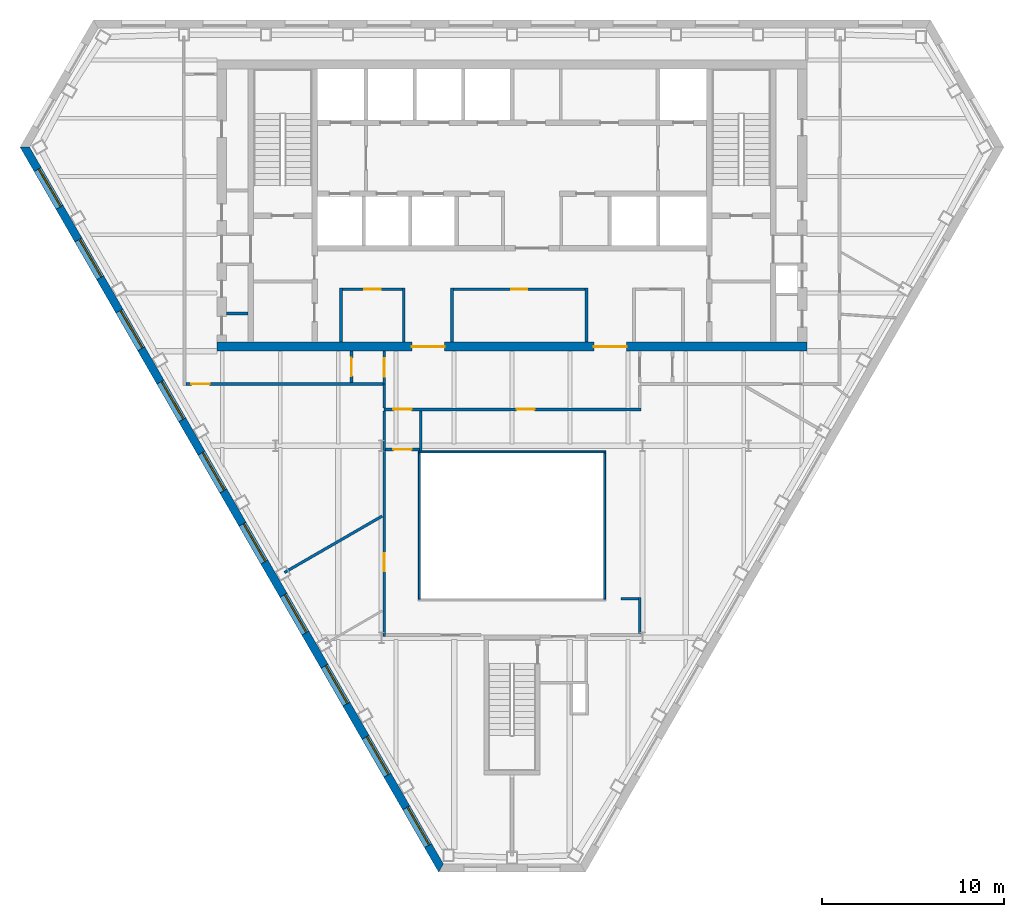
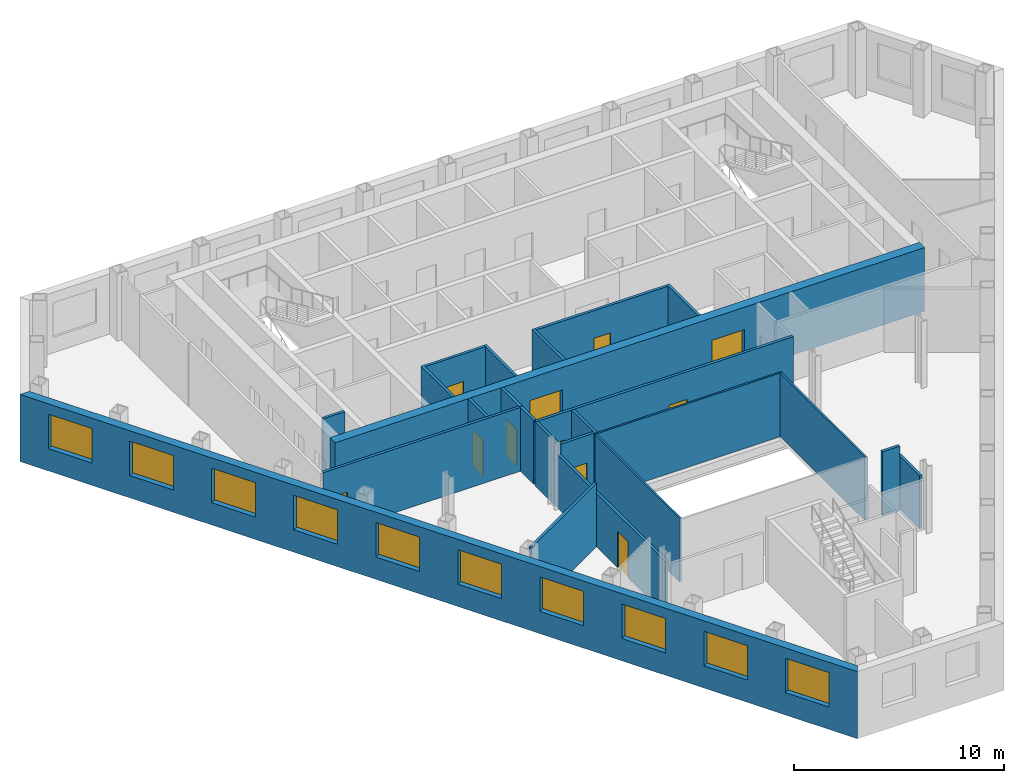
# One storey, part 4 of 11: 24 walls, 11 doors, 10 windows, 21 openings.
"""IFC4 building model written with IfcOpenShell, lengths in metres."""

from ifc_helpers import new_model, si_unit, direction, frame, frame_2d, origin, place, context, subcontext, project, spatial, polyline, rectangle, outline, extrude, material, layer, layer_set, type_object, element, fill, save


model = new_model("IFC4")

# Units and contexts
model_context = context("Model", 3, precision=1e-05, world=origin(), true_north=direction((0.0, 1.0)))
body_context = subcontext(model_context, "Body", "Model", "MODEL_VIEW")
ifc_project = project(units=[si_unit("LENGTHUNIT", "METRE"), si_unit("AREAUNIT", "SQUARE_METRE"), si_unit("VOLUMEUNIT", "CUBIC_METRE"), si_unit("PLANEANGLEUNIT", "RADIAN"), si_unit("MASSUNIT", "GRAM", prefix="KILO")], contexts=[model_context])

# Site, building, storey
site_placement = place(None, origin())
site = spatial("IfcSite", under=ifc_project, at=site_placement, CompositionType="ELEMENT")
building_placement = place(site_placement, origin())
building = spatial("IfcBuilding", under=site, at=building_placement, Name="Njiva Tower", CompositionType="ELEMENT")
storey_placement = place(building_placement, frame((0.0, 0.0, 178.8)))
storey = spatial("IfcBuildingStorey", under=building, at=storey_placement, Name="L39", CompositionType="ELEMENT", Elevation=178.8)

# Walls
ifc_material_1 = material(Name="Blockwork", Category="masonry")
ifc_layer_1 = layer(ifc_material_1, 0.15)
ifc_layer_set_1 = layer_set([ifc_layer_1], Name="Blockwork")
wall_type_1 = type_object("IfcWallType", Name="WT1 Compartment partition 150", PredefinedType="PARTITIONING", material=ifc_layer_set_1)
wall_1_placement = place(storey_placement, frame((-15.7, 4.075, 0.0), z_axis=(0.0, 0.0, 1.0), x_axis=(1.0, 0.0, 0.0)))
element("IfcWall", 1, at=wall_1_placement, inside=storey, type_object=wall_type_1, Name="Partition strip W00", PredefinedType="PARTITIONING", context=body_context, shape_type="SweptSolid", body=[
    extrude(rectangle(XDim=1.2, YDim=0.15, at=frame_2d((0.6, 0.0))), origin(), (0.0, 0.0, 1.0), 3.7),
])
for number, where, z_axis, x_axis, name in (
    (2, (-9.4, 2.5, 0.0), (0.0, 0.0, 1.0), (0.0, 1.0, 0.0), "Concierge office wall west"),
    (3, (-5.95, 2.5, 0.0), (0.0, 0.0, 1.0), (0.0, 1.0, 0.0), "Concierge office wall east"),
):
    element("IfcWall", number, at=place(storey_placement, frame(where, z_axis=z_axis, x_axis=x_axis)), inside=storey, type_object=wall_type_1, Name=name, PredefinedType="PARTITIONING", context=body_context, shape_type="SweptSolid", body=[
        extrude(rectangle(XDim=2.975, YDim=0.15, at=frame_2d((1.4875, 0.0))), origin(), (0.0, 0.0, 1.0), 3.7),
    ])

# Wall, opening, door
wall_2_placement = place(storey_placement, frame((-9.325, 5.4, 0.0), z_axis=(0.0, 0.0, 1.0), x_axis=(1.0, 0.0, 0.0)))
wall_2 = element("IfcWall", 4, at=wall_2_placement, inside=storey, type_object=wall_type_1, Name="Concierge office wall north", PredefinedType="PARTITIONING", context=body_context, shape_type="SweptSolid", body=[
    extrude(rectangle(XDim=3.3, YDim=0.15, at=frame_2d((1.65, 0.0))), origin(), (0.0, 0.0, 1.0), 3.7),
])
opening_1_placement = place(wall_2_placement, frame((1.2, 0.0, 0.0)))
opening_1 = element("IfcOpeningElement", 5, at=opening_1_placement, cuts=wall_2, Name="Opening S13-D933", PredefinedType="OPENING", context=body_context, shape_type="SweptSolid", body=[
    extrude(rectangle(XDim=0.9, YDim=2.1, at=frame_2d((0.45, 1.05))), frame((0.0, 0.085, 0.0), z_axis=(0.0, -1.0, 0.0), x_axis=(1.0, 0.0, 0.0)), (0.0, 0.0, 1.0), 0.17),
])
ifc_material_2 = material(Name="Steel fire door, painted", Category="steel")
door_type_1 = type_object("IfcDoorType", Name="D6 Fire-rated door 900x2100", OperationType="SINGLE_SWING_LEFT", PredefinedType="DOOR", material=ifc_material_2)
door_1_placement = place(opening_1_placement, origin())
door_1 = element("IfcDoor", 6, at=door_1_placement, inside=storey, type_object=door_type_1, Name="Concierge office door", OperationType="SINGLE_SWING_RIGHT", OverallHeight=2.1, OverallWidth=0.9, PredefinedType="DOOR", context=body_context, shape_type="SweptSolid", body=[
    extrude(rectangle(XDim=0.9, YDim=2.1, at=frame_2d((0.45, 1.05))), frame((0.0, 0.025, 0.0), z_axis=(0.0, -1.0, 0.0), x_axis=(1.0, 0.0, 0.0)), (0.0, 0.0, 1.0), 0.05),
])
fill(opening_1, door_1)

# Walls
for number, where, z_axis, x_axis, name in (
    (7, (-3.3, 2.5, 0.0), (0.0, 0.0, 1.0), (0.0, 1.0, 0.0), "Post room wall west"),
    (8, (4.1, 2.5, 0.0), (0.0, 0.0, 1.0), (0.0, 1.0, 0.0), "Post room wall east"),
):
    element("IfcWall", number, at=place(storey_placement, frame(where, z_axis=z_axis, x_axis=x_axis)), inside=storey, type_object=wall_type_1, Name=name, PredefinedType="PARTITIONING", context=body_context, shape_type="SweptSolid", body=[
        extrude(rectangle(XDim=2.975, YDim=0.15, at=frame_2d((1.4875, 0.0))), origin(), (0.0, 0.0, 1.0), 3.7),
    ])

# Wall, opening, door
wall_3_placement = place(storey_placement, frame((-3.225, 5.4, 0.0), z_axis=(0.0, 0.0, 1.0), x_axis=(1.0, 0.0, 0.0)))
wall_3 = element("IfcWall", 9, at=wall_3_placement, inside=storey, type_object=wall_type_1, Name="Post room wall north", PredefinedType="PARTITIONING", context=body_context, shape_type="SweptSolid", body=[
    extrude(rectangle(XDim=7.25, YDim=0.15, at=frame_2d((3.625, 0.0))), origin(), (0.0, 0.0, 1.0), 3.7),
])
opening_2_placement = place(wall_3_placement, frame((3.175, 0.0, 0.0)))
opening_2 = element("IfcOpeningElement", 10, at=opening_2_placement, cuts=wall_3, Name="Opening S13-D934", PredefinedType="OPENING", context=body_context, shape_type="SweptSolid", body=[
    extrude(rectangle(XDim=0.9, YDim=2.1, at=frame_2d((0.45, 1.05))), frame((0.0, 0.085, 0.0), z_axis=(0.0, -1.0, 0.0), x_axis=(1.0, 0.0, 0.0)), (0.0, 0.0, 1.0), 0.17),
])
door_2_placement = place(opening_2_placement, origin())
door_2 = element("IfcDoor", 11, at=door_2_placement, inside=storey, type_object=door_type_1, Name="Post room door", OperationType="SINGLE_SWING_LEFT", OverallHeight=2.1, OverallWidth=0.9, PredefinedType="DOOR", context=body_context, shape_type="SweptSolid", body=[
    extrude(rectangle(XDim=0.9, YDim=2.1, at=frame_2d((0.45, 1.05))), frame((0.0, 0.025, 0.0), z_axis=(0.0, -1.0, 0.0), x_axis=(1.0, 0.0, 0.0)), (0.0, 0.0, 1.0), 0.05),
])
fill(opening_2, door_2)

# Wall, openings, doors
ifc_material_3 = material(Name="Concrete C60/75", Category="concrete")
ifc_layer_2 = layer(ifc_material_3, 0.5)
ifc_layer_set_2 = layer_set([ifc_layer_2], Name="Concrete C60/75")
wall_type_2 = type_object("IfcWallType", Name="WT13 Core wall 500", PredefinedType="SHEAR", material=ifc_layer_set_2)
wall_4_placement = place(storey_placement, frame((-16.2, 2.25, 0.0), z_axis=(0.0, 0.0, 1.0), x_axis=(1.0, 0.0, 0.0)))
wall_4 = element("IfcWall", 12, at=wall_4_placement, inside=storey, type_object=wall_type_2, Name="Core wall south", PredefinedType="SHEAR", context=body_context, shape_type="SweptSolid", body=[
    extrude(rectangle(XDim=32.4, YDim=0.5, at=frame_2d((16.2, 0.0))), origin(), (0.0, 0.0, 1.0), 3.7),
])
opening_3_placement = place(wall_4_placement, frame((10.7, 0.0, 0.0)))
opening_3 = element("IfcOpeningElement", 13, at=opening_3_placement, cuts=wall_4, Name="Opening S13-D937", PredefinedType="OPENING", context=body_context, shape_type="SweptSolid", body=[
    extrude(rectangle(XDim=1.8, YDim=2.4, at=frame_2d((0.9, 1.2))), frame((0.0, 0.26, 0.0), z_axis=(0.0, -1.0, 0.0), x_axis=(1.0, 0.0, 0.0)), (0.0, 0.0, 1.0), 0.52),
])
opening_4_placement = place(wall_4_placement, frame((20.7, 0.0, 0.0)))
opening_4 = element("IfcOpeningElement", 14, at=opening_4_placement, cuts=wall_4, Name="Opening S13-D938", PredefinedType="OPENING", context=body_context, shape_type="SweptSolid", body=[
    extrude(rectangle(XDim=1.8, YDim=2.4, at=frame_2d((0.9, 1.2))), frame((0.0, 0.26, 0.0), z_axis=(0.0, -1.0, 0.0), x_axis=(1.0, 0.0, 0.0)), (0.0, 0.0, 1.0), 0.52),
])
ifc_material_4 = material(Name="Steel and glass door", Category="steel")
door_type_2 = type_object("IfcDoorType", Name="D3 Core entrance door 1800x2400", OperationType="DOUBLE_DOOR_SINGLE_SWING", PredefinedType="DOOR", material=ifc_material_4)
door_3_placement = place(opening_3_placement, origin())
door_3 = element("IfcDoor", 15, at=door_3_placement, inside=storey, type_object=door_type_2, Name="Core entrance door", OperationType="DOUBLE_DOOR_SINGLE_SWING", OverallHeight=2.4, OverallWidth=1.8, PredefinedType="DOOR", context=body_context, shape_type="SweptSolid", body=[
    extrude(rectangle(XDim=1.8, YDim=2.4, at=frame_2d((0.9, 1.2))), frame((0.0, 0.025, 0.0), z_axis=(0.0, -1.0, 0.0), x_axis=(1.0, 0.0, 0.0)), (0.0, 0.0, 1.0), 0.05),
])
fill(opening_3, door_3)
door_4_placement = place(opening_4_placement, origin())
door_4 = element("IfcDoor", 16, at=door_4_placement, inside=storey, type_object=door_type_2, Name="Core entrance door", OperationType="DOUBLE_DOOR_SINGLE_SWING", OverallHeight=2.4, OverallWidth=1.8, PredefinedType="DOOR", context=body_context, shape_type="SweptSolid", body=[
    extrude(rectangle(XDim=1.8, YDim=2.4, at=frame_2d((0.9, 1.2))), frame((0.0, 0.025, 0.0), z_axis=(0.0, -1.0, 0.0), x_axis=(1.0, 0.0, 0.0)), (0.0, 0.0, 1.0), 0.05),
])
fill(opening_4, door_4)

# Wall, opening, door
ifc_material_5 = material(Name="Gypsum board on steel studs", Category="gypsum")
ifc_layer_3 = layer(ifc_material_5, 0.15)
ifc_layer_set_3 = layer_set([ifc_layer_3], Name="Gypsum board on steel studs")
wall_type_3 = type_object("IfcWallType", Name="WT21 Compartment wall 150", PredefinedType="PARTITIONING", material=ifc_layer_set_3)
wall_5_placement = place(storey_placement, frame((-17.925, 0.2, 0.0), z_axis=(0.0, 0.0, 1.0), x_axis=(1.0, 0.0, 0.0)))
wall_5 = element("IfcWall", 17, at=wall_5_placement, inside=storey, type_object=wall_type_3, Name="Partition S13-P005", PredefinedType="PARTITIONING", context=body_context, shape_type="SweptSolid", body=[
    extrude(rectangle(XDim=10.83, YDim=0.15, at=frame_2d((5.415, 0.0))), origin(), (0.0, 0.0, 1.0), 3.7),
])
opening_5_placement = place(wall_5_placement, frame((0.312, 0.0, 0.0)))
opening_5 = element("IfcOpeningElement", 18, at=opening_5_placement, cuts=wall_5, Name="Opening S13-D002", PredefinedType="OPENING", context=body_context, shape_type="SweptSolid", body=[
    extrude(rectangle(XDim=1.0, YDim=2.1, at=frame_2d((0.5, 1.05))), frame((0.0, 0.085, 0.0), z_axis=(0.0, -1.0, 0.0), x_axis=(1.0, 0.0, 0.0)), (0.0, 0.0, 1.0), 0.17),
])
ifc_material_6 = material(Name="Steel fire door set", Category="steel")
door_type_3 = type_object("IfcDoorType", Name="D37 Fire door 1000x2100", OperationType="SINGLE_SWING_LEFT", PredefinedType="DOOR", material=ifc_material_6)
door_5_placement = place(opening_5_placement, origin())
door_5 = element("IfcDoor", 19, at=door_5_placement, inside=storey, type_object=door_type_3, Name="Door S13-D002", OperationType="SINGLE_SWING_LEFT", OverallHeight=2.1, OverallWidth=1.0, PredefinedType="DOOR", context=body_context, shape_type="SweptSolid", body=[
    extrude(rectangle(XDim=1.0, YDim=2.1, at=frame_2d((0.5, 1.05))), frame((0.0, 0.025, 0.0), z_axis=(0.0, -1.0, 0.0), x_axis=(1.0, 0.0, 0.0)), (0.0, 0.0, 1.0), 0.05),
])
fill(opening_5, door_5)

# Wall
wall_6_placement = place(storey_placement, frame((-12.499, -10.157, 0.0), z_axis=(0.0, 0.0, 1.0), x_axis=(0.866070043127, 0.499922674419, 0.0)))
element("IfcWall", 20, at=wall_6_placement, inside=storey, type_object=wall_type_3, Name="Partition S13-P006", PredefinedType="PARTITIONING", context=body_context, shape_type="SweptSolid", body=[
    extrude(rectangle(XDim=6.197, YDim=0.15, at=frame_2d((3.0985, 0.0))), origin(), (0.0, 0.0, 1.0), 3.7),
])

# Wall, opening, door
wall_7_placement = place(storey_placement, frame((-8.82, 0.275, 0.0), z_axis=(0.0, 0.0, 1.0), x_axis=(0.0, 1.0, 0.0)))
wall_7 = element("IfcWall", 21, at=wall_7_placement, inside=storey, type_object=wall_type_3, Name="Partition S13-P008", PredefinedType="PARTITIONING", context=body_context, shape_type="SweptSolid", body=[
    extrude(rectangle(XDim=1.725, YDim=0.15, at=frame_2d((0.8625, 0.0))), origin(), (0.0, 0.0, 1.0), 3.7),
])
opening_6_placement = place(wall_7_placement, frame((0.363, 0.0, 0.0)))
opening_6 = element("IfcOpeningElement", 22, at=opening_6_placement, cuts=wall_7, Name="Opening S13-D003", PredefinedType="OPENING", context=body_context, shape_type="SweptSolid", body=[
    extrude(rectangle(XDim=1.0, YDim=2.1, at=frame_2d((0.5, 1.05))), frame((0.0, 0.085, 0.0), z_axis=(0.0, -1.0, 0.0), x_axis=(1.0, 0.0, 0.0)), (0.0, 0.0, 1.0), 0.17),
])
door_6_placement = place(opening_6_placement, origin())
door_6 = element("IfcDoor", 23, at=door_6_placement, inside=storey, type_object=door_type_3, Name="Door S13-D003", OperationType="SINGLE_SWING_LEFT", OverallHeight=2.1, OverallWidth=1.0, PredefinedType="DOOR", context=body_context, shape_type="SweptSolid", body=[
    extrude(rectangle(XDim=1.0, YDim=2.1, at=frame_2d((0.5, 1.05))), frame((0.0, 0.025, 0.0), z_axis=(0.0, -1.0, 0.0), x_axis=(1.0, 0.0, 0.0)), (0.0, 0.0, 1.0), 0.05),
])
fill(opening_6, door_6)

wall_8_placement = place(storey_placement, frame((-7.02, -13.675, 0.0), z_axis=(0.0, 0.0, 1.0), x_axis=(0.0, 1.0, 0.0)))
wall_8 = element("IfcWall", 24, at=wall_8_placement, inside=storey, type_object=wall_type_3, Name="Partition S13-P009", PredefinedType="PARTITIONING", context=body_context, shape_type="SweptSolid", body=[
    extrude(rectangle(XDim=10.215, YDim=0.15, at=frame_2d((5.1075, 0.0))), origin(), (0.0, 0.0, 1.0), 3.11),
])
opening_7_placement = place(wall_8_placement, frame((3.577, 0.0, 0.0)))
opening_7 = element("IfcOpeningElement", 25, at=opening_7_placement, cuts=wall_8, Name="Opening S13-D004", PredefinedType="OPENING", context=body_context, shape_type="SweptSolid", body=[
    extrude(rectangle(XDim=1.0, YDim=2.1, at=frame_2d((0.5, 1.05))), frame((0.0, 0.085, 0.0), z_axis=(0.0, -1.0, 0.0), x_axis=(1.0, 0.0, 0.0)), (0.0, 0.0, 1.0), 0.17),
])
door_7_placement = place(opening_7_placement, origin())
door_7 = element("IfcDoor", 26, at=door_7_placement, inside=storey, type_object=door_type_3, Name="Door S13-D004", OperationType="SINGLE_SWING_RIGHT", OverallHeight=2.1, OverallWidth=1.0, PredefinedType="DOOR", context=body_context, shape_type="SweptSolid", body=[
    extrude(rectangle(XDim=1.0, YDim=2.1, at=frame_2d((0.5, 1.05))), frame((0.0, 0.025, 0.0), z_axis=(0.0, -1.0, 0.0), x_axis=(1.0, 0.0, 0.0)), (0.0, 0.0, 1.0), 0.05),
])
fill(opening_7, door_7)

# Wall
wall_9_placement = place(storey_placement, frame((-7.02, -3.46, 0.0), z_axis=(0.0, 0.0, 1.0), x_axis=(0.0, 1.0, 0.0)))
element("IfcWall", 27, at=wall_9_placement, inside=storey, type_object=wall_type_3, Name="Partition S13-P009A", PredefinedType="PARTITIONING", context=body_context, shape_type="SweptSolid", body=[
    extrude(rectangle(XDim=2.185, YDim=0.15, at=frame_2d((1.0925, 0.0))), origin(), (0.0, 0.0, 1.0), 3.7),
])

# Wall, openings, doors
wall_10_placement = place(storey_placement, frame((-7.02, -1.2, 0.0), z_axis=(0.0, 0.0, 1.0), x_axis=(1.0, 0.0, 0.0)))
wall_10 = element("IfcWall", 28, at=wall_10_placement, inside=storey, type_object=wall_type_3, Name="Partition S13-P010", PredefinedType="PARTITIONING", context=body_context, shape_type="SweptSolid", body=[
    extrude(rectangle(XDim=14.115, YDim=0.15, at=frame_2d((7.0575, 0.0))), origin(), (0.0, 0.0, 1.0), 3.7),
])
opening_8_placement = place(wall_10_placement, frame((0.5, 0.0, 0.0)))
opening_8 = element("IfcOpeningElement", 29, at=opening_8_placement, cuts=wall_10, Name="Opening S13-D005", PredefinedType="OPENING", context=body_context, shape_type="SweptSolid", body=[
    extrude(rectangle(XDim=1.0, YDim=2.1, at=frame_2d((0.5, 1.05))), frame((0.0, 0.085, 0.0), z_axis=(0.0, -1.0, 0.0), x_axis=(1.0, 0.0, 0.0)), (0.0, 0.0, 1.0), 0.17),
])
opening_9_placement = place(wall_10_placement, frame((7.27, 0.0, 0.0)))
opening_9 = element("IfcOpeningElement", 30, at=opening_9_placement, cuts=wall_10, Name="Opening S13-D006", PredefinedType="OPENING", context=body_context, shape_type="SweptSolid", body=[
    extrude(rectangle(XDim=1.0, YDim=2.1, at=frame_2d((0.5, 1.05))), frame((0.0, 0.085, 0.0), z_axis=(0.0, -1.0, 0.0), x_axis=(1.0, 0.0, 0.0)), (0.0, 0.0, 1.0), 0.17),
])
door_8_placement = place(opening_8_placement, origin())
door_8 = element("IfcDoor", 31, at=door_8_placement, inside=storey, type_object=door_type_3, Name="Door S13-D005", OperationType="SINGLE_SWING_RIGHT", OverallHeight=2.1, OverallWidth=1.0, PredefinedType="DOOR", context=body_context, shape_type="SweptSolid", body=[
    extrude(rectangle(XDim=1.0, YDim=2.1, at=frame_2d((0.5, 1.05))), frame((0.0, 0.025, 0.0), z_axis=(0.0, -1.0, 0.0), x_axis=(1.0, 0.0, 0.0)), (0.0, 0.0, 1.0), 0.05),
])
fill(opening_8, door_8)
door_9_placement = place(opening_9_placement, origin())
door_9 = element("IfcDoor", 32, at=door_9_placement, inside=storey, type_object=door_type_3, Name="Door S13-D006", OperationType="SINGLE_SWING_RIGHT", OverallHeight=2.1, OverallWidth=1.0, PredefinedType="DOOR", context=body_context, shape_type="SweptSolid", body=[
    extrude(rectangle(XDim=1.0, YDim=2.1, at=frame_2d((0.5, 1.05))), frame((0.0, 0.025, 0.0), z_axis=(0.0, -1.0, 0.0), x_axis=(1.0, 0.0, 0.0)), (0.0, 0.0, 1.0), 0.05),
])
fill(opening_9, door_9)

# Wall
wall_11_placement = place(storey_placement, frame((-7.02, -1.125, 0.0), z_axis=(0.0, 0.0, 1.0), x_axis=(0.0, 1.0, 0.0)))
element("IfcWall", 33, at=wall_11_placement, inside=storey, type_object=wall_type_3, Name="Partition S13-P011", PredefinedType="PARTITIONING", context=body_context, shape_type="SweptSolid", body=[
    extrude(rectangle(XDim=1.323, YDim=0.15, at=frame_2d((0.6615, 0.0))), origin(), (0.0, 0.0, 1.0), 3.7),
])

# Wall, opening, door
wall_12_placement = place(storey_placement, frame((-7.02, 0.2, 0.0), z_axis=(0.0, 0.0, 1.0), x_axis=(0.0, 1.0, 0.0)))
wall_12 = element("IfcWall", 34, at=wall_12_placement, inside=storey, type_object=wall_type_3, Name="Partition S13-P012", PredefinedType="PARTITIONING", context=body_context, shape_type="SweptSolid", body=[
    extrude(rectangle(XDim=1.8, YDim=0.15, at=frame_2d((0.9, 0.0))), origin(), (0.0, 0.0, 1.0), 3.7),
])
opening_10_placement = place(wall_12_placement, frame((0.4, 0.0, 0.0)))
opening_10 = element("IfcOpeningElement", 35, at=opening_10_placement, cuts=wall_12, Name="Opening S13-D007", PredefinedType="OPENING", context=body_context, shape_type="SweptSolid", body=[
    extrude(rectangle(XDim=1.0, YDim=2.1, at=frame_2d((0.5, 1.05))), frame((0.0, 0.085, 0.0), z_axis=(0.0, -1.0, 0.0), x_axis=(1.0, 0.0, 0.0)), (0.0, 0.0, 1.0), 0.17),
])
door_10_placement = place(opening_10_placement, origin())
door_10 = element("IfcDoor", 36, at=door_10_placement, inside=storey, type_object=door_type_3, Name="Door S13-D007", OperationType="SINGLE_SWING_LEFT", OverallHeight=2.1, OverallWidth=1.0, PredefinedType="DOOR", context=body_context, shape_type="SweptSolid", body=[
    extrude(rectangle(XDim=1.0, YDim=2.1, at=frame_2d((0.5, 1.05))), frame((0.0, 0.025, 0.0), z_axis=(0.0, -1.0, 0.0), x_axis=(1.0, 0.0, 0.0)), (0.0, 0.0, 1.0), 0.05),
])
fill(opening_10, door_10)

wall_13_placement = place(storey_placement, frame((-6.945, -3.4, 0.0), z_axis=(0.0, 0.0, 1.0), x_axis=(1.0, 0.0, 0.0)))
wall_13 = element("IfcWall", 37, at=wall_13_placement, inside=storey, type_object=wall_type_3, Name="Partition S13-P014", PredefinedType="PARTITIONING", context=body_context, shape_type="SweptSolid", body=[
    extrude(rectangle(XDim=1.85, YDim=0.15, at=frame_2d((0.925, 0.0))), origin(), (0.0, 0.0, 1.0), 3.7),
])
opening_11_placement = place(wall_13_placement, frame((0.425, 0.0, 0.0)))
opening_11 = element("IfcOpeningElement", 38, at=opening_11_placement, cuts=wall_13, Name="Opening S13-D009", PredefinedType="OPENING", context=body_context, shape_type="SweptSolid", body=[
    extrude(rectangle(XDim=1.0, YDim=2.1, at=frame_2d((0.5, 1.05))), frame((0.0, 0.085, 0.0), z_axis=(0.0, -1.0, 0.0), x_axis=(1.0, 0.0, 0.0)), (0.0, 0.0, 1.0), 0.17),
])
door_11_placement = place(opening_11_placement, origin())
door_11 = element("IfcDoor", 39, at=door_11_placement, inside=storey, type_object=door_type_3, Name="Door S13-D009", OperationType="SINGLE_SWING_RIGHT", OverallHeight=2.1, OverallWidth=1.0, PredefinedType="DOOR", context=body_context, shape_type="SweptSolid", body=[
    extrude(rectangle(XDim=1.0, YDim=2.1, at=frame_2d((0.5, 1.05))), frame((0.0, 0.025, 0.0), z_axis=(0.0, -1.0, 0.0), x_axis=(1.0, 0.0, 0.0)), (0.0, 0.0, 1.0), 0.05),
])
fill(opening_11, door_11)

# Walls
wall_14_placement = place(storey_placement, frame((-5.02, -3.48, 0.0), z_axis=(0.0, 0.0, 1.0), x_axis=(0.0, 1.0, 0.0)))
element("IfcWall", 40, at=wall_14_placement, inside=storey, type_object=wall_type_3, Name="Partition S13-P015", PredefinedType="PARTITIONING", context=body_context, shape_type="SweptSolid", body=[
    extrude(rectangle(XDim=2.205, YDim=0.15, at=frame_2d((1.1025, 0.0))), origin(), (0.0, 0.0, 1.0), 3.7),
])
wall_15_placement = place(storey_placement, frame((5.98, -11.6, 0.0), z_axis=(0.0, 0.0, 1.0), x_axis=(1.0, 0.0, 0.0)))
element("IfcWall", 41, at=wall_15_placement, inside=storey, type_object=wall_type_3, Name="Partition S13-P018", PredefinedType="PARTITIONING", context=body_context, shape_type="SweptSolid", body=[
    extrude(rectangle(XDim=0.965, YDim=0.15, at=frame_2d((0.4825, 0.0))), origin(), (0.0, 0.0, 1.0), 3.7),
])
wall_16_placement = place(storey_placement, frame((7.02, -13.525, 0.0), z_axis=(0.0, 0.0, 1.0), x_axis=(0.0, 1.0, 0.0)))
element("IfcWall", 42, at=wall_16_placement, inside=storey, type_object=wall_type_3, Name="Partition S13-P019", PredefinedType="PARTITIONING", context=body_context, shape_type="SweptSolid", body=[
    extrude(rectangle(XDim=2.0, YDim=0.15, at=frame_2d((1.0, 0.0))), origin(), (0.0, 0.0, 1.0), 3.11),
])

# Wall, openings, windows
ifc_material_7 = material(Name="Brick masonry", Category="masonry")
ifc_layer_4 = layer(ifc_material_7, 0.45)
ifc_layer_set_4 = layer_set([ifc_layer_4], Name="Brick masonry")
wall_type_4 = type_object("IfcWallType", Name="WT90 Brick pier and spandrel wall 450", PredefinedType="SOLIDWALL", material=ifc_layer_set_4)
wall_17_placement = place(storey_placement, frame((-26.7752, 13.2198, -0.4), z_axis=(0.0, 0.0, 1.0), x_axis=(0.500000335318, -0.866025210188, 0.0)))
wall_17 = element("IfcWall", 43, at=wall_17_placement, inside=storey, type_object=wall_type_4, Name="Facade wall SW", PredefinedType="SOLIDWALL", context=body_context, shape_type="SweptSolid", body=[
    extrude(outline(polyline([(-0.1299, -0.225), (45.8801, -0.225), (45.6203, 0.225), (0.1299, 0.225), (-0.1299, -0.225)])), origin(), (0.0, 0.0, 1.0), 3.9),
])
opening_12_placement = place(wall_17_placement, frame((1.4247, 0.0, 1.3)))
opening_12 = element("IfcOpeningElement", 44, at=opening_12_placement, cuts=wall_17, Name="Opening S13-W12", PredefinedType="OPENING", context=body_context, shape_type="SweptSolid", body=[
    extrude(rectangle(XDim=2.4, YDim=2.0, at=frame_2d((1.2, 1.0))), frame((0.0, 0.235, 0.0), z_axis=(0.0, -1.0, 0.0), x_axis=(1.0, 0.0, 0.0)), (0.0, 0.0, 1.0), 0.47),
])
opening_13_placement = place(wall_17_placement, frame((5.8949, 0.0, 1.3)))
opening_13 = element("IfcOpeningElement", 45, at=opening_13_placement, cuts=wall_17, Name="Opening S13-W13", PredefinedType="OPENING", context=body_context, shape_type="SweptSolid", body=[
    extrude(rectangle(XDim=2.4, YDim=2.0, at=frame_2d((1.2, 1.0))), frame((0.0, 0.235, 0.0), z_axis=(0.0, -1.0, 0.0), x_axis=(1.0, 0.0, 0.0)), (0.0, 0.0, 1.0), 0.47),
])
opening_14_placement = place(wall_17_placement, frame((10.4035, 0.0, 1.3)))
opening_14 = element("IfcOpeningElement", 46, at=opening_14_placement, cuts=wall_17, Name="Opening S13-W14", PredefinedType="OPENING", context=body_context, shape_type="SweptSolid", body=[
    extrude(rectangle(XDim=2.4, YDim=2.0, at=frame_2d((1.2, 1.0))), frame((0.0, 0.235, 0.0), z_axis=(0.0, -1.0, 0.0), x_axis=(1.0, 0.0, 0.0)), (0.0, 0.0, 1.0), 0.47),
])
opening_15_placement = place(wall_17_placement, frame((14.9122, 0.0, 1.3)))
opening_15 = element("IfcOpeningElement", 47, at=opening_15_placement, cuts=wall_17, Name="Opening S13-W15", PredefinedType="OPENING", context=body_context, shape_type="SweptSolid", body=[
    extrude(rectangle(XDim=2.4, YDim=2.0, at=frame_2d((1.2, 1.0))), frame((0.0, 0.235, 0.0), z_axis=(0.0, -1.0, 0.0), x_axis=(1.0, 0.0, 0.0)), (0.0, 0.0, 1.0), 0.47),
])
opening_16_placement = place(wall_17_placement, frame((19.4208, 0.0, 1.3)))
opening_16 = element("IfcOpeningElement", 48, at=opening_16_placement, cuts=wall_17, Name="Opening S13-W16", PredefinedType="OPENING", context=body_context, shape_type="SweptSolid", body=[
    extrude(rectangle(XDim=2.4, YDim=2.0, at=frame_2d((1.2, 1.0))), frame((0.0, 0.235, 0.0), z_axis=(0.0, -1.0, 0.0), x_axis=(1.0, 0.0, 0.0)), (0.0, 0.0, 1.0), 0.47),
])
opening_17_placement = place(wall_17_placement, frame((23.9294, 0.0, 1.3)))
opening_17 = element("IfcOpeningElement", 49, at=opening_17_placement, cuts=wall_17, Name="Opening S13-W17", PredefinedType="OPENING", context=body_context, shape_type="SweptSolid", body=[
    extrude(rectangle(XDim=2.4, YDim=2.0, at=frame_2d((1.2, 1.0))), frame((0.0, 0.235, 0.0), z_axis=(0.0, -1.0, 0.0), x_axis=(1.0, 0.0, 0.0)), (0.0, 0.0, 1.0), 0.47),
])
opening_18_placement = place(wall_17_placement, frame((28.438, 0.0, 1.3)))
opening_18 = element("IfcOpeningElement", 50, at=opening_18_placement, cuts=wall_17, Name="Opening S13-W18", PredefinedType="OPENING", context=body_context, shape_type="SweptSolid", body=[
    extrude(rectangle(XDim=2.4, YDim=2.0, at=frame_2d((1.2, 1.0))), frame((0.0, 0.235, 0.0), z_axis=(0.0, -1.0, 0.0), x_axis=(1.0, 0.0, 0.0)), (0.0, 0.0, 1.0), 0.47),
])
opening_19_placement = place(wall_17_placement, frame((32.9466, 0.0, 1.3)))
opening_19 = element("IfcOpeningElement", 51, at=opening_19_placement, cuts=wall_17, Name="Opening S13-W19", PredefinedType="OPENING", context=body_context, shape_type="SweptSolid", body=[
    extrude(rectangle(XDim=2.4, YDim=2.0, at=frame_2d((1.2, 1.0))), frame((0.0, 0.235, 0.0), z_axis=(0.0, -1.0, 0.0), x_axis=(1.0, 0.0, 0.0)), (0.0, 0.0, 1.0), 0.47),
])
opening_20_placement = place(wall_17_placement, frame((37.4553, 0.0, 1.3)))
opening_20 = element("IfcOpeningElement", 52, at=opening_20_placement, cuts=wall_17, Name="Opening S13-W20", PredefinedType="OPENING", context=body_context, shape_type="SweptSolid", body=[
    extrude(rectangle(XDim=2.4, YDim=2.0, at=frame_2d((1.2, 1.0))), frame((0.0, 0.235, 0.0), z_axis=(0.0, -1.0, 0.0), x_axis=(1.0, 0.0, 0.0)), (0.0, 0.0, 1.0), 0.47),
])
opening_21_placement = place(wall_17_placement, frame((41.9255, 0.0, 1.3)))
opening_21 = element("IfcOpeningElement", 53, at=opening_21_placement, cuts=wall_17, Name="Opening S13-W21", PredefinedType="OPENING", context=body_context, shape_type="SweptSolid", body=[
    extrude(rectangle(XDim=2.4, YDim=2.0, at=frame_2d((1.2, 1.0))), frame((0.0, 0.235, 0.0), z_axis=(0.0, -1.0, 0.0), x_axis=(1.0, 0.0, 0.0)), (0.0, 0.0, 1.0), 0.47),
])
ifc_material_8 = material(Name="Clear glazing in aluminium frame", Category="aluminium")
window_type = type_object("IfcWindowType", Name="W90 Deep-set window 2400x2000", PartitioningType="SINGLE_PANEL", PredefinedType="WINDOW", material=ifc_material_8)
window_1_placement = place(opening_12_placement, origin())
window_1 = element("IfcWindow", 54, at=window_1_placement, inside=storey, type_object=window_type, Name="Window", OverallHeight=2.0, OverallWidth=2.4, PartitioningType="SINGLE_PANEL", PredefinedType="WINDOW", context=body_context, shape_type="SweptSolid", body=[
    extrude(rectangle(XDim=2.4, YDim=2.0, at=frame_2d((1.2, 1.0))), frame((0.0, 0.105, 0.0), z_axis=(0.0, -1.0, 0.0), x_axis=(1.0, 0.0, 0.0)), (0.0, 0.0, 1.0), 0.06),
])
fill(opening_12, window_1)
window_2_placement = place(opening_13_placement, origin())
window_2 = element("IfcWindow", 55, at=window_2_placement, inside=storey, type_object=window_type, Name="Window", OverallHeight=2.0, OverallWidth=2.4, PartitioningType="SINGLE_PANEL", PredefinedType="WINDOW", context=body_context, shape_type="SweptSolid", body=[
    extrude(rectangle(XDim=2.4, YDim=2.0, at=frame_2d((1.2, 1.0))), frame((0.0, 0.105, 0.0), z_axis=(0.0, -1.0, 0.0), x_axis=(1.0, 0.0, 0.0)), (0.0, 0.0, 1.0), 0.06),
])
fill(opening_13, window_2)
window_3_placement = place(opening_14_placement, origin())
window_3 = element("IfcWindow", 56, at=window_3_placement, inside=storey, type_object=window_type, Name="Window", OverallHeight=2.0, OverallWidth=2.4, PartitioningType="SINGLE_PANEL", PredefinedType="WINDOW", context=body_context, shape_type="SweptSolid", body=[
    extrude(rectangle(XDim=2.4, YDim=2.0, at=frame_2d((1.2, 1.0))), frame((0.0, 0.105, 0.0), z_axis=(0.0, -1.0, 0.0), x_axis=(1.0, 0.0, 0.0)), (0.0, 0.0, 1.0), 0.06),
])
fill(opening_14, window_3)
window_4_placement = place(opening_15_placement, origin())
window_4 = element("IfcWindow", 57, at=window_4_placement, inside=storey, type_object=window_type, Name="Window", OverallHeight=2.0, OverallWidth=2.4, PartitioningType="SINGLE_PANEL", PredefinedType="WINDOW", context=body_context, shape_type="SweptSolid", body=[
    extrude(rectangle(XDim=2.4, YDim=2.0, at=frame_2d((1.2, 1.0))), frame((0.0, 0.105, 0.0), z_axis=(0.0, -1.0, 0.0), x_axis=(1.0, 0.0, 0.0)), (0.0, 0.0, 1.0), 0.06),
])
fill(opening_15, window_4)
window_5_placement = place(opening_16_placement, origin())
window_5 = element("IfcWindow", 58, at=window_5_placement, inside=storey, type_object=window_type, Name="Window", OverallHeight=2.0, OverallWidth=2.4, PartitioningType="SINGLE_PANEL", PredefinedType="WINDOW", context=body_context, shape_type="SweptSolid", body=[
    extrude(rectangle(XDim=2.4, YDim=2.0, at=frame_2d((1.2, 1.0))), frame((0.0, 0.105, 0.0), z_axis=(0.0, -1.0, 0.0), x_axis=(1.0, 0.0, 0.0)), (0.0, 0.0, 1.0), 0.06),
])
fill(opening_16, window_5)
window_6_placement = place(opening_17_placement, origin())
window_6 = element("IfcWindow", 59, at=window_6_placement, inside=storey, type_object=window_type, Name="Window", OverallHeight=2.0, OverallWidth=2.4, PartitioningType="SINGLE_PANEL", PredefinedType="WINDOW", context=body_context, shape_type="SweptSolid", body=[
    extrude(rectangle(XDim=2.4, YDim=2.0, at=frame_2d((1.2, 1.0))), frame((0.0, 0.105, 0.0), z_axis=(0.0, -1.0, 0.0), x_axis=(1.0, 0.0, 0.0)), (0.0, 0.0, 1.0), 0.06),
])
fill(opening_17, window_6)
window_7_placement = place(opening_18_placement, origin())
window_7 = element("IfcWindow", 60, at=window_7_placement, inside=storey, type_object=window_type, Name="Window", OverallHeight=2.0, OverallWidth=2.4, PartitioningType="SINGLE_PANEL", PredefinedType="WINDOW", context=body_context, shape_type="SweptSolid", body=[
    extrude(rectangle(XDim=2.4, YDim=2.0, at=frame_2d((1.2, 1.0))), frame((0.0, 0.105, 0.0), z_axis=(0.0, -1.0, 0.0), x_axis=(1.0, 0.0, 0.0)), (0.0, 0.0, 1.0), 0.06),
])
fill(opening_18, window_7)
window_8_placement = place(opening_19_placement, origin())
window_8 = element("IfcWindow", 61, at=window_8_placement, inside=storey, type_object=window_type, Name="Window", OverallHeight=2.0, OverallWidth=2.4, PartitioningType="SINGLE_PANEL", PredefinedType="WINDOW", context=body_context, shape_type="SweptSolid", body=[
    extrude(rectangle(XDim=2.4, YDim=2.0, at=frame_2d((1.2, 1.0))), frame((0.0, 0.105, 0.0), z_axis=(0.0, -1.0, 0.0), x_axis=(1.0, 0.0, 0.0)), (0.0, 0.0, 1.0), 0.06),
])
fill(opening_19, window_8)
window_9_placement = place(opening_20_placement, origin())
window_9 = element("IfcWindow", 62, at=window_9_placement, inside=storey, type_object=window_type, Name="Window", OverallHeight=2.0, OverallWidth=2.4, PartitioningType="SINGLE_PANEL", PredefinedType="WINDOW", context=body_context, shape_type="SweptSolid", body=[
    extrude(rectangle(XDim=2.4, YDim=2.0, at=frame_2d((1.2, 1.0))), frame((0.0, 0.105, 0.0), z_axis=(0.0, -1.0, 0.0), x_axis=(1.0, 0.0, 0.0)), (0.0, 0.0, 1.0), 0.06),
])
fill(opening_20, window_9)
window_10_placement = place(opening_21_placement, origin())
window_10 = element("IfcWindow", 63, at=window_10_placement, inside=storey, type_object=window_type, Name="Window", OverallHeight=2.0, OverallWidth=2.4, PartitioningType="SINGLE_PANEL", PredefinedType="WINDOW", context=body_context, shape_type="SweptSolid", body=[
    extrude(rectangle(XDim=2.4, YDim=2.0, at=frame_2d((1.2, 1.0))), frame((0.0, 0.105, 0.0), z_axis=(0.0, -1.0, 0.0), x_axis=(1.0, 0.0, 0.0)), (0.0, 0.0, 1.0), 0.06),
])
fill(opening_21, window_10)

# Walls
ifc_material_9 = material(Name="Fire-resisting glazing EI 90", Category="glass")
ifc_layer_5 = layer(ifc_material_9, 0.1)
ifc_layer_set_5 = layer_set([ifc_layer_5], Name="Fire-resisting glazing EI 90")
wall_type_5 = type_object("IfcWallType", Name="WT95 Fire-resisting glazed screen EI 90", PredefinedType="PARTITIONING", material=ifc_layer_set_5)
wall_18_placement = place(storey_placement, frame((5.09, -11.62, 0.0), z_axis=(0.0, 0.0, 1.0), x_axis=(0.0, 1.0, 0.0)))
element("IfcWall", 64, at=wall_18_placement, inside=storey, type_object=wall_type_5, Name="Atrium fire screen east", PredefinedType="PARTITIONING", context=body_context, shape_type="SweptSolid", body=[
    extrude(rectangle(XDim=8.04, YDim=0.1, at=frame_2d((4.02, 0.0))), origin(), (0.0, 0.0, 1.0), 3.7),
])
wall_19_placement = place(storey_placement, frame((5.14, -3.53, 0.0), z_axis=(0.0, 0.0, 1.0), x_axis=(-1.0, 0.0, 0.0)))
element("IfcWall", 65, at=wall_19_placement, inside=storey, type_object=wall_type_5, Name="Atrium fire screen north", PredefinedType="PARTITIONING", context=body_context, shape_type="SweptSolid", body=[
    extrude(rectangle(XDim=10.28, YDim=0.1, at=frame_2d((5.14, 0.0))), origin(), (0.0, 0.0, 1.0), 3.7),
])
wall_20_placement = place(storey_placement, frame((-5.09, -3.58, 0.0), z_axis=(0.0, 0.0, 1.0), x_axis=(0.0, -1.0, 0.0)))
element("IfcWall", 66, at=wall_20_placement, inside=storey, type_object=wall_type_5, Name="Atrium fire screen west", PredefinedType="PARTITIONING", context=body_context, shape_type="SweptSolid", body=[
    extrude(rectangle(XDim=8.04, YDim=0.1, at=frame_2d((4.02, 0.0))), origin(), (0.0, 0.0, 1.0), 3.7),
])

save(model, "model.ifc")
